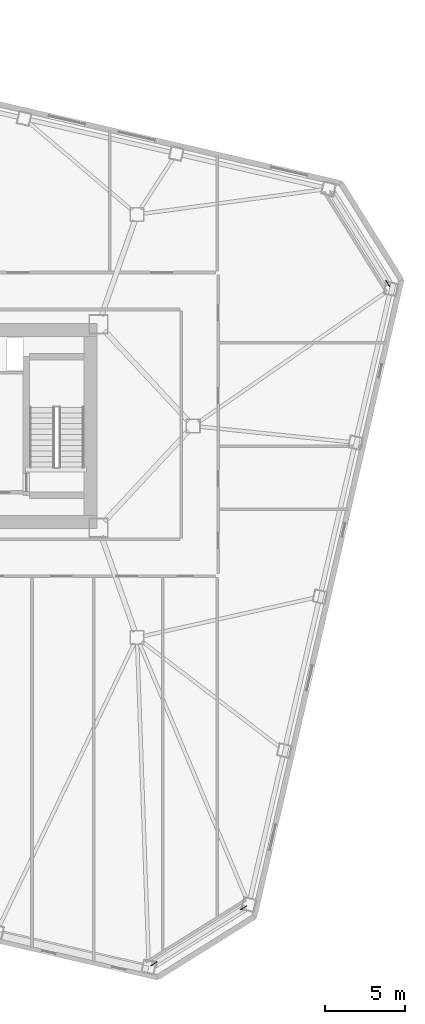
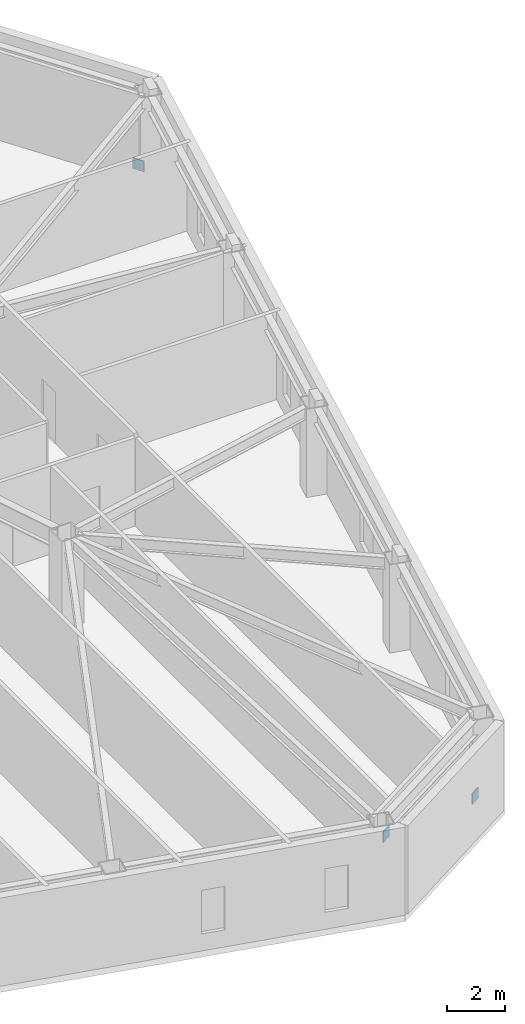
# One storey, part 20 of 22: 3 discrete accessories.
"""IFC4 building model written with IfcOpenShell, lengths in metres."""

from ifc_helpers import new_model, si_unit, direction, frame, origin, origin_2d, place, context, subcontext, project, spatial, rectangle, extrude, material, type_object, element, save


model = new_model("IFC4")

# Units and contexts
model_context = context("Model", 3, precision=1e-05, world=origin(), true_north=direction((0.0, 1.0)))
body_context = subcontext(model_context, "Body", "Model", "MODEL_VIEW")
ifc_project = project(units=[si_unit("LENGTHUNIT", "METRE"), si_unit("AREAUNIT", "SQUARE_METRE"), si_unit("VOLUMEUNIT", "CUBIC_METRE"), si_unit("PLANEANGLEUNIT", "RADIAN"), si_unit("MASSUNIT", "GRAM", prefix="KILO")], contexts=[model_context])

# Site, building, storey
site_placement = place(None, origin())
site = spatial("IfcSite", under=ifc_project, at=site_placement, CompositionType="ELEMENT")
building_placement = place(site_placement, origin())
building = spatial("IfcBuilding", under=site, at=building_placement, Name="Tavrogorsk Clinical Tower", CompositionType="ELEMENT")
storey_placement = place(building_placement, frame((0.0, 0.0, 55.39990234375)))
storey = spatial("IfcBuildingStorey", under=building, at=storey_placement, Name="L11", CompositionType="ELEMENT", Elevation=55.39990234375)

# Discrete accessories
ifc_material = material(Name="Structural steel S440", Category="steel")
discrete_accessory_type = type_object("IfcDiscreteAccessoryType", Name="GussetPlateBracket_25", PredefinedType="BRACKET", material=ifc_material)
for number, where, z_axis, x_axis, name in (
    (1, (31.15185546875, -30.062255859375, 0.212646484375), (0.0, 0.0, 1.0), (-0.848048096156, -0.529919264233, 0.0), "L11 Brace Gusset Plate EXOCRN-L11-1-A"),
    (2, (25.56396484375, -33.553955078125, 2.667724609375), (0.0, 0.0, 1.0), (-0.848048096156, -0.529919264233, 0.0), "L11 Brace Gusset Plate EXOCRN-L11-1-B"),
    (3, (40.145751953125, 8.893798828125, 0.212646484375), (0.0, 0.0, 1.0), (-0.529919264233, 0.848048096156, 0.0), "L11 Brace Gusset Plate EXOCRN-L11-2-A"),
):
    element("IfcDiscreteAccessory", number, at=place(storey_placement, frame(where, z_axis=z_axis, x_axis=x_axis)), inside=storey, type_object=discrete_accessory_type, Name=name, PredefinedType="BRACKET", context=body_context, shape_type="SweptSolid", body=[
        extrude(rectangle(XDim=0.4599609375, YDim=0.0400390625, at=origin_2d()), origin(), (0.0, 0.0, 1.0), 0.4599609375),
    ])

save(model, "model.ifc")
